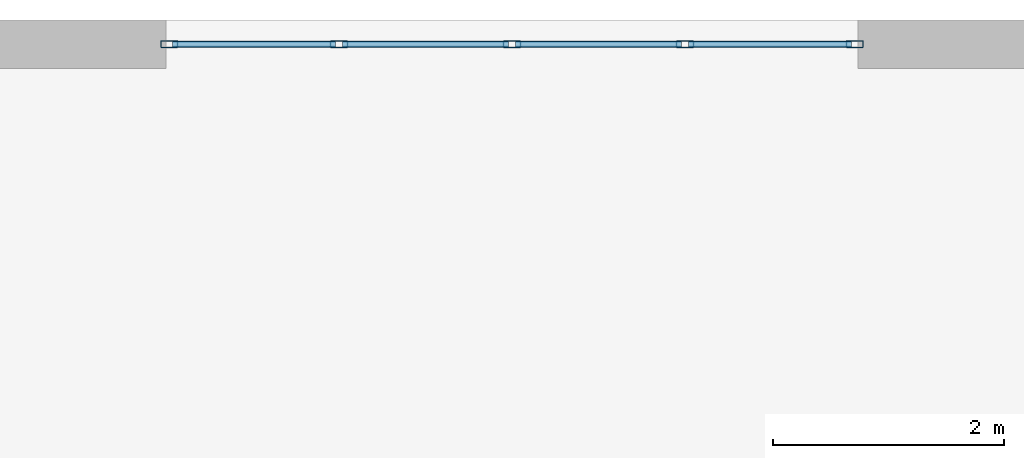
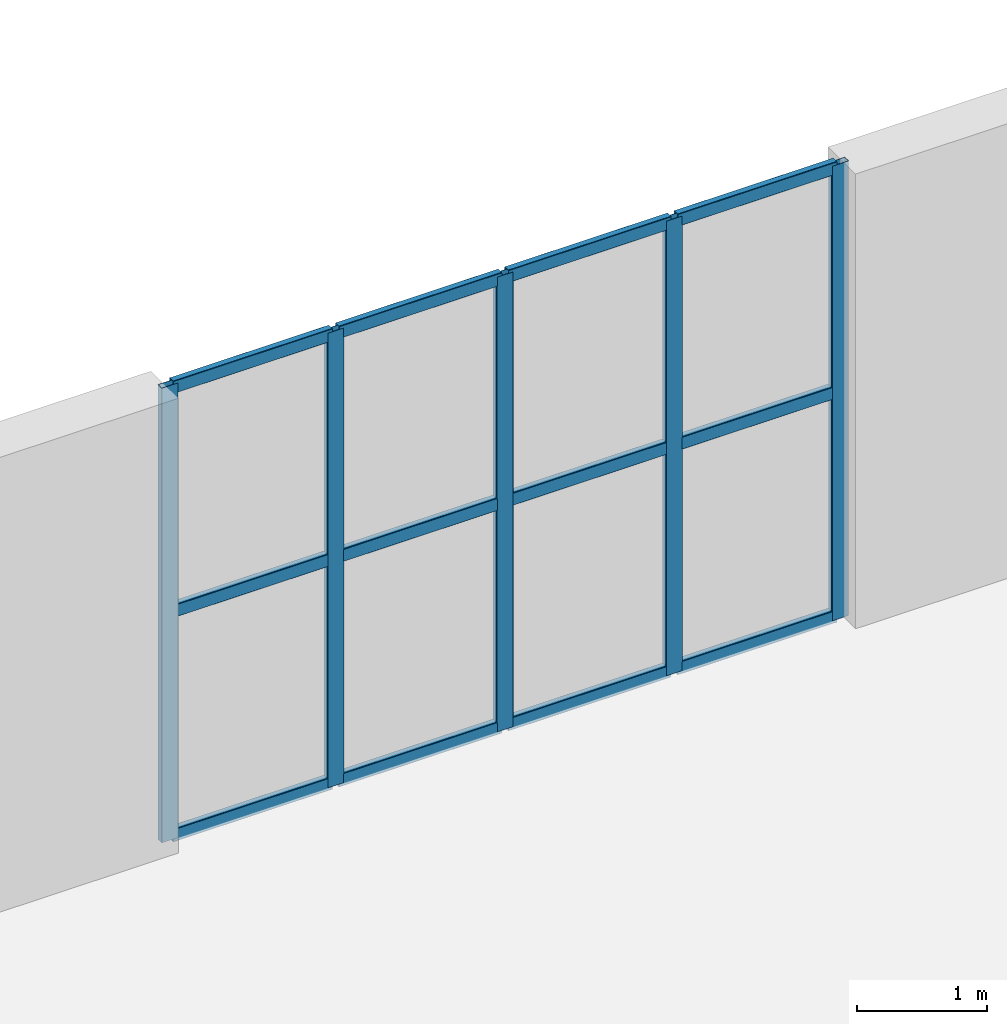
# One storey, part 5 of 15: 17 members, 1 element without a shape of its own.
"""IFC4 building model written with IfcOpenShell, lengths in metres."""

from ifc_helpers import new_model, entity, si_unit, converted_unit, direction, frame, origin_with_axes, origin_2d_with_axis, place, context, subcontext, project, spatial, hollow_rectangle, extrude, material, material_profile, profile_set, type_object, element, aggregate, save


model = new_model("IFC4")

# Units and contexts
model_context = context("Model", 3, precision=1e-05, world=origin_with_axes(), true_north=direction((0.0, 1.0)))
body_context = subcontext(model_context, "Body", "Model", "MODEL_VIEW")
ifc_project = project(units=[si_unit("LENGTHUNIT", "METRE"), si_unit("AREAUNIT", "SQUARE_METRE"), si_unit("VOLUMEUNIT", "CUBIC_METRE"), converted_unit("PLANEANGLEUNIT", "DEGREE", entity("IfcPlaneAngleMeasure", 0.017453292519943295), si_unit("PLANEANGLEUNIT", "RADIAN"), dimensions=[0, 0, 0, 0, 0, 0, 0]), si_unit("MASSUNIT", "GRAM", prefix="KILO"), si_unit("THERMODYNAMICTEMPERATUREUNIT", "KELVIN")], contexts=[model_context])

# Site, building, storey
site_placement = place(None, origin_with_axes())
site = spatial("IfcSite", under=ifc_project, at=site_placement, CompositionType="ELEMENT")
building_placement = place(site_placement, origin_with_axes())
building = spatial("IfcBuilding", under=site, at=building_placement, Name="Varnlund Millrace Tower", CompositionType="ELEMENT")
storey_placement = place(building_placement, frame((0.0, 0.0, 10.8), z_axis=(0.0, 0.0, 1.0), x_axis=(1.0, 0.0, 0.0)))
storey = spatial("IfcBuildingStorey", under=building, at=storey_placement, Name="L02", CompositionType="ELEMENT", Elevation=10.8)

# Curtain wall, members
ifc_material_1 = material(Name="Thermally broken architectural bronze curtain wall", Category="aluminium")
curtain_wall_type = type_object("IfcCurtainWallType", Name="Type-CW-Sys3-PortalBridge", PredefinedType="NOTDEFINED", material=ifc_material_1)
curtain_wall_placement = place(storey_placement, frame((24.0, 49.29, 0.0), z_axis=(0.0, 0.0, 1.0), x_axis=(1.0, 0.0, 0.0)))
curtain_wall = element("IfcCurtainWall", 1, at=curtain_wall_placement, inside=storey, type_object=curtain_wall_type, Name="Type-CW-Sys3-PortalBridge", PredefinedType="NOTDEFINED")
ifc_material_2 = material(Name="Architectural bronze aluminium alloy 6063-T6", Category="aluminium")
ifc_material_profile_1 = material_profile(ifc_material_2, hollow_rectangle(XDim=0.06, YDim=0.15, WallThickness=0.004, InnerFilletRadius=0.004, OuterFilletRadius=0.008, at=origin_2d_with_axis()), Name="Architectural bronze aluminium alloy 6063-T6")
ifc_profile_set_1 = profile_set([ifc_material_profile_1], Name="Architectural bronze aluminium alloy 6063-T6")
member_type_1 = type_object("IfcMemberType", Name="Type-CW-Mullion-60X150", PredefinedType="MULLION", material=ifc_profile_set_1)
member_1_placement = place(storey_placement, frame((24.03, 49.29, 0.0), z_axis=(0.0, 0.0, 1.0), x_axis=(0.0, 1.0, 0.0)))
member_1 = element("IfcMember", 2, at=member_1_placement, type_object=member_type_1, Name="CW-03 mullion 1", PredefinedType="MULLION", context=body_context, shape_type="SweptSolid", body=[
    extrude(hollow_rectangle(XDim=0.06, YDim=0.15, WallThickness=0.004, InnerFilletRadius=0.004, OuterFilletRadius=0.008, at=origin_2d_with_axis()), origin_with_axes(), (0.0, 0.0, 1.0), 4.26),
])
member_2_placement = place(storey_placement, frame((25.5, 49.29, 0.0), z_axis=(0.0, 0.0, 1.0), x_axis=(0.0, 1.0, 0.0)))
member_2 = element("IfcMember", 3, at=member_2_placement, type_object=member_type_1, Name="CW-03 mullion 2", PredefinedType="MULLION", context=body_context, shape_type="SweptSolid", body=[
    extrude(hollow_rectangle(XDim=0.06, YDim=0.15, WallThickness=0.004, InnerFilletRadius=0.004, OuterFilletRadius=0.008, at=origin_2d_with_axis()), origin_with_axes(), (0.0, 0.0, 1.0), 4.26),
])
member_3_placement = place(storey_placement, frame((27.0, 49.29, 0.0), z_axis=(0.0, 0.0, 1.0), x_axis=(0.0, 1.0, 0.0)))
member_3 = element("IfcMember", 4, at=member_3_placement, type_object=member_type_1, Name="CW-03 mullion 3", PredefinedType="MULLION", context=body_context, shape_type="SweptSolid", body=[
    extrude(hollow_rectangle(XDim=0.06, YDim=0.15, WallThickness=0.004, InnerFilletRadius=0.004, OuterFilletRadius=0.008, at=origin_2d_with_axis()), origin_with_axes(), (0.0, 0.0, 1.0), 4.26),
])
member_4_placement = place(storey_placement, frame((28.5, 49.29, 0.0), z_axis=(0.0, 0.0, 1.0), x_axis=(0.0, 1.0, 0.0)))
member_4 = element("IfcMember", 5, at=member_4_placement, type_object=member_type_1, Name="CW-03 mullion 4", PredefinedType="MULLION", context=body_context, shape_type="SweptSolid", body=[
    extrude(hollow_rectangle(XDim=0.06, YDim=0.15, WallThickness=0.004, InnerFilletRadius=0.004, OuterFilletRadius=0.008, at=origin_2d_with_axis()), origin_with_axes(), (0.0, 0.0, 1.0), 4.26),
])
member_5_placement = place(storey_placement, frame((29.97, 49.29, 0.0), z_axis=(0.0, 0.0, 1.0), x_axis=(0.0, 1.0, 0.0)))
member_5 = element("IfcMember", 6, at=member_5_placement, type_object=member_type_1, Name="CW-03 mullion 5", PredefinedType="MULLION", context=body_context, shape_type="SweptSolid", body=[
    extrude(hollow_rectangle(XDim=0.06, YDim=0.15, WallThickness=0.004, InnerFilletRadius=0.004, OuterFilletRadius=0.008, at=origin_2d_with_axis()), origin_with_axes(), (0.0, 0.0, 1.0), 4.26),
])
ifc_material_profile_2 = material_profile(ifc_material_2, hollow_rectangle(XDim=0.06, YDim=0.12, WallThickness=0.004, InnerFilletRadius=0.004, OuterFilletRadius=0.008, at=origin_2d_with_axis()), Name="Architectural bronze aluminium alloy 6063-T6")
ifc_profile_set_2 = profile_set([ifc_material_profile_2], Name="Architectural bronze aluminium alloy 6063-T6")
member_type_2 = type_object("IfcMemberType", Name="Type-CW-Transom-60X120", PredefinedType="USERDEFINED", material=ifc_profile_set_2)
member_6_placement = place(storey_placement, frame((24.06, 49.29, 0.03), z_axis=(1.0, 0.0, 0.0), x_axis=(0.0, 1.0, 0.0)))
member_6 = element("IfcMember", 7, at=member_6_placement, type_object=member_type_2, Name="CW-03 transom 1.1", ObjectType="TRANSOM", PredefinedType="USERDEFINED", context=body_context, shape_type="SweptSolid", body=[
    extrude(hollow_rectangle(XDim=0.06, YDim=0.12, WallThickness=0.004, InnerFilletRadius=0.004, OuterFilletRadius=0.008, at=origin_2d_with_axis()), origin_with_axes(), (0.0, 0.0, 1.0), 1.41),
])
member_7_placement = place(storey_placement, frame((24.06, 49.29, 2.13), z_axis=(1.0, 0.0, 0.0), x_axis=(0.0, 1.0, 0.0)))
member_7 = element("IfcMember", 8, at=member_7_placement, type_object=member_type_2, Name="CW-03 transom 1.2", ObjectType="TRANSOM", PredefinedType="USERDEFINED", context=body_context, shape_type="SweptSolid", body=[
    extrude(hollow_rectangle(XDim=0.06, YDim=0.12, WallThickness=0.004, InnerFilletRadius=0.004, OuterFilletRadius=0.008, at=origin_2d_with_axis()), origin_with_axes(), (0.0, 0.0, 1.0), 1.41),
])
member_8_placement = place(storey_placement, frame((24.06, 49.29, 4.23), z_axis=(1.0, 0.0, 0.0), x_axis=(0.0, 1.0, 0.0)))
member_8 = element("IfcMember", 9, at=member_8_placement, type_object=member_type_2, Name="CW-03 transom 1.3", ObjectType="TRANSOM", PredefinedType="USERDEFINED", context=body_context, shape_type="SweptSolid", body=[
    extrude(hollow_rectangle(XDim=0.06, YDim=0.12, WallThickness=0.004, InnerFilletRadius=0.004, OuterFilletRadius=0.008, at=origin_2d_with_axis()), origin_with_axes(), (0.0, 0.0, 1.0), 1.41),
])
member_9_placement = place(storey_placement, frame((25.53, 49.29, 0.03), z_axis=(1.0, 0.0, 0.0), x_axis=(0.0, 1.0, 0.0)))
member_9 = element("IfcMember", 10, at=member_9_placement, type_object=member_type_2, Name="CW-03 transom 2.1", ObjectType="TRANSOM", PredefinedType="USERDEFINED", context=body_context, shape_type="SweptSolid", body=[
    extrude(hollow_rectangle(XDim=0.06, YDim=0.12, WallThickness=0.004, InnerFilletRadius=0.004, OuterFilletRadius=0.008, at=origin_2d_with_axis()), origin_with_axes(), (0.0, 0.0, 1.0), 1.44),
])
member_10_placement = place(storey_placement, frame((25.53, 49.29, 2.13), z_axis=(1.0, 0.0, 0.0), x_axis=(0.0, 1.0, 0.0)))
member_10 = element("IfcMember", 11, at=member_10_placement, type_object=member_type_2, Name="CW-03 transom 2.2", ObjectType="TRANSOM", PredefinedType="USERDEFINED", context=body_context, shape_type="SweptSolid", body=[
    extrude(hollow_rectangle(XDim=0.06, YDim=0.12, WallThickness=0.004, InnerFilletRadius=0.004, OuterFilletRadius=0.008, at=origin_2d_with_axis()), origin_with_axes(), (0.0, 0.0, 1.0), 1.44),
])
member_11_placement = place(storey_placement, frame((25.53, 49.29, 4.23), z_axis=(1.0, 0.0, 0.0), x_axis=(0.0, 1.0, 0.0)))
member_11 = element("IfcMember", 12, at=member_11_placement, type_object=member_type_2, Name="CW-03 transom 2.3", ObjectType="TRANSOM", PredefinedType="USERDEFINED", context=body_context, shape_type="SweptSolid", body=[
    extrude(hollow_rectangle(XDim=0.06, YDim=0.12, WallThickness=0.004, InnerFilletRadius=0.004, OuterFilletRadius=0.008, at=origin_2d_with_axis()), origin_with_axes(), (0.0, 0.0, 1.0), 1.44),
])
member_12_placement = place(storey_placement, frame((27.03, 49.29, 0.03), z_axis=(1.0, 0.0, 0.0), x_axis=(0.0, 1.0, 0.0)))
member_12 = element("IfcMember", 13, at=member_12_placement, type_object=member_type_2, Name="CW-03 transom 3.1", ObjectType="TRANSOM", PredefinedType="USERDEFINED", context=body_context, shape_type="SweptSolid", body=[
    extrude(hollow_rectangle(XDim=0.06, YDim=0.12, WallThickness=0.004, InnerFilletRadius=0.004, OuterFilletRadius=0.008, at=origin_2d_with_axis()), origin_with_axes(), (0.0, 0.0, 1.0), 1.44),
])
member_13_placement = place(storey_placement, frame((27.03, 49.29, 2.13), z_axis=(1.0, 0.0, 0.0), x_axis=(0.0, 1.0, 0.0)))
member_13 = element("IfcMember", 14, at=member_13_placement, type_object=member_type_2, Name="CW-03 transom 3.2", ObjectType="TRANSOM", PredefinedType="USERDEFINED", context=body_context, shape_type="SweptSolid", body=[
    extrude(hollow_rectangle(XDim=0.06, YDim=0.12, WallThickness=0.004, InnerFilletRadius=0.004, OuterFilletRadius=0.008, at=origin_2d_with_axis()), origin_with_axes(), (0.0, 0.0, 1.0), 1.44),
])
member_14_placement = place(storey_placement, frame((27.03, 49.29, 4.23), z_axis=(1.0, 0.0, 0.0), x_axis=(0.0, 1.0, 0.0)))
member_14 = element("IfcMember", 15, at=member_14_placement, type_object=member_type_2, Name="CW-03 transom 3.3", ObjectType="TRANSOM", PredefinedType="USERDEFINED", context=body_context, shape_type="SweptSolid", body=[
    extrude(hollow_rectangle(XDim=0.06, YDim=0.12, WallThickness=0.004, InnerFilletRadius=0.004, OuterFilletRadius=0.008, at=origin_2d_with_axis()), origin_with_axes(), (0.0, 0.0, 1.0), 1.44),
])
member_15_placement = place(storey_placement, frame((28.53, 49.29, 0.03), z_axis=(1.0, 0.0, 0.0), x_axis=(0.0, 1.0, 0.0)))
member_15 = element("IfcMember", 16, at=member_15_placement, type_object=member_type_2, Name="CW-03 transom 4.1", ObjectType="TRANSOM", PredefinedType="USERDEFINED", context=body_context, shape_type="SweptSolid", body=[
    extrude(hollow_rectangle(XDim=0.06, YDim=0.12, WallThickness=0.004, InnerFilletRadius=0.004, OuterFilletRadius=0.008, at=origin_2d_with_axis()), origin_with_axes(), (0.0, 0.0, 1.0), 1.41),
])
member_16_placement = place(storey_placement, frame((28.53, 49.29, 2.13), z_axis=(1.0, 0.0, 0.0), x_axis=(0.0, 1.0, 0.0)))
member_16 = element("IfcMember", 17, at=member_16_placement, type_object=member_type_2, Name="CW-03 transom 4.2", ObjectType="TRANSOM", PredefinedType="USERDEFINED", context=body_context, shape_type="SweptSolid", body=[
    extrude(hollow_rectangle(XDim=0.06, YDim=0.12, WallThickness=0.004, InnerFilletRadius=0.004, OuterFilletRadius=0.008, at=origin_2d_with_axis()), origin_with_axes(), (0.0, 0.0, 1.0), 1.41),
])
member_17_placement = place(storey_placement, frame((28.53, 49.29, 4.23), z_axis=(1.0, 0.0, 0.0), x_axis=(0.0, 1.0, 0.0)))
member_17 = element("IfcMember", 18, at=member_17_placement, type_object=member_type_2, Name="CW-03 transom 4.3", ObjectType="TRANSOM", PredefinedType="USERDEFINED", context=body_context, shape_type="SweptSolid", body=[
    extrude(hollow_rectangle(XDim=0.06, YDim=0.12, WallThickness=0.004, InnerFilletRadius=0.004, OuterFilletRadius=0.008, at=origin_2d_with_axis()), origin_with_axes(), (0.0, 0.0, 1.0), 1.41),
])
aggregate(curtain_wall, [member_1, member_2, member_3, member_4, member_5, member_6, member_7, member_8, member_9, member_10, member_11, member_12, member_13, member_14, member_15, member_16, member_17])

save(model, "model.ifc")
